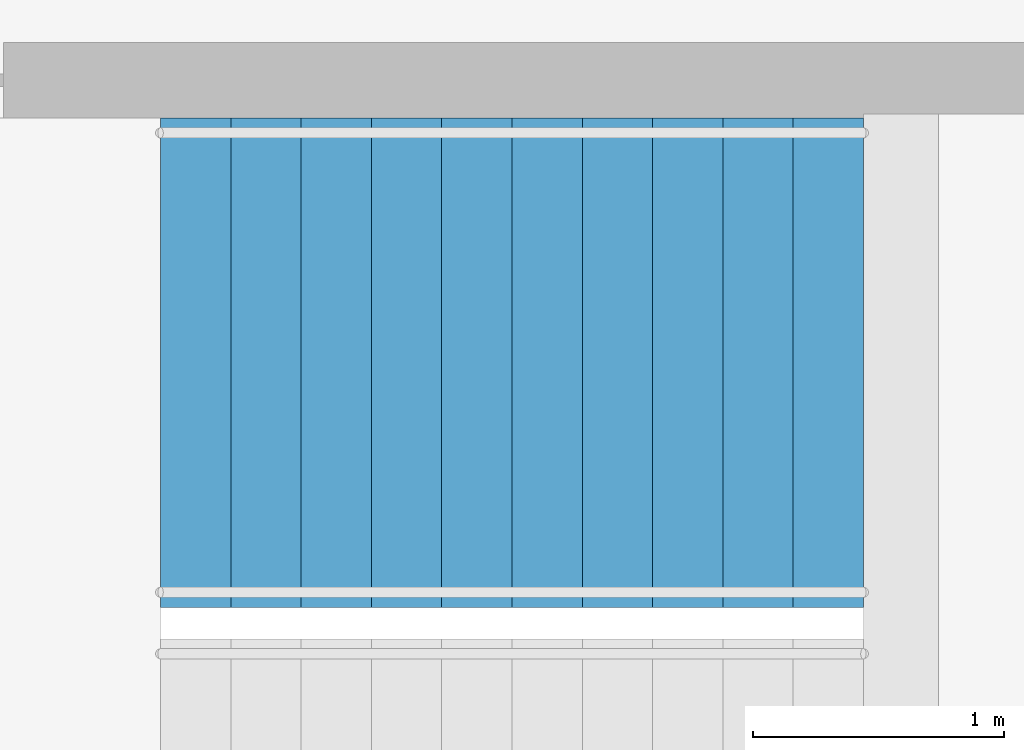
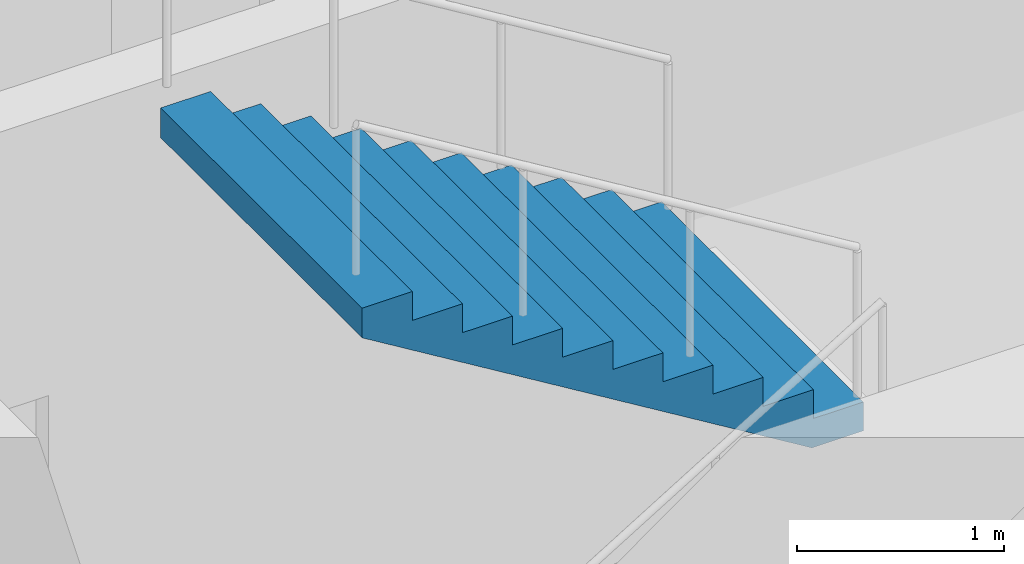
# One storey, part 24 of 29: 1 stair flight, 1 element without a shape of its own.
"""IFC4 building model written with IfcOpenShell, lengths in metres."""

from ifc_helpers import new_model, si_unit, direction, frame, origin, place, context, subcontext, project, spatial, triangles, material, type_object, element, aggregate, save


model = new_model("IFC4")

# Units and contexts
model_context = context("Model", 3, precision=1e-05, world=origin(), true_north=direction((0.0, 1.0)))
body_context = subcontext(model_context, "Body", "Model", "MODEL_VIEW")
ifc_project = project(units=[si_unit("LENGTHUNIT", "METRE"), si_unit("AREAUNIT", "SQUARE_METRE"), si_unit("VOLUMEUNIT", "CUBIC_METRE"), si_unit("PLANEANGLEUNIT", "RADIAN"), si_unit("MASSUNIT", "GRAM", prefix="KILO")], contexts=[model_context])

# Site, building, storey
site_placement = place(None, origin())
site = spatial("IfcSite", under=ifc_project, at=site_placement, CompositionType="ELEMENT")
building_placement = place(site_placement, origin())
building = spatial("IfcBuilding", under=site, at=building_placement, Name="Orbita Commons", CompositionType="ELEMENT")
storey_placement = place(building_placement, frame((0.0, 0.0, 148.60009765625)))
storey = spatial("IfcBuildingStorey", under=building, at=storey_placement, Name="L36", CompositionType="ELEMENT", Elevation=148.60009765625)

# Stair, stair flight
ifc_material_1 = material(Name="Precast concrete C40/50", Category="concrete")
stair_type = type_object("IfcStairType", Name="Exit stair S1 2 flights 11 risers 170", PredefinedType="HALF_TURN_STAIR", material=ifc_material_1)
stair_placement = place(storey_placement, origin())
stair = element("IfcStair", 1, at=stair_placement, inside=storey, type_object=stair_type, Name="Exit stair S1 L36", PredefinedType="HALF_TURN_STAIR")
ifc_material_2 = material(Name="Precast concrete C40/50", Category="concrete")
stair_flight_type = type_object("IfcStairFlightType", Name="Stair flight 11 risers 170 x 280", PredefinedType="STRAIGHT", material=ifc_material_2)
stair_flight_placement = place(storey_placement, frame((23.25, 29.27490234375, 1.875), z_axis=(0.0, 0.0, 1.0), x_axis=(-1.0, 0.0, 0.0)))
stair_flight = element("IfcStairFlight", 2, at=stair_flight_placement, type_object=stair_flight_type, Name="S1 flight 2", NumberOfRisers=11, NumberOfTreads=10, PredefinedType="STRAIGHT", RiserHeight=0.170454545, TreadLength=0.28, context=body_context, shape_type="Tessellation", body=[
    triangles([(0.0, 0.974976, 0.0), (0.0, 0.974976, 0.021307), (0.0, 0.81248, 0.021307), (0.0, 0.81248, 0.0), (0.0, 0.649984, 0.021307), (0.0, 0.649984, 0.0), (0.0, 0.487488, 0.021307), (0.0, 0.487488, 0.0), (0.0, 0.324992, 0.021307), (0.0, 0.324992, 0.0), (0.0, 0.162496, 0.021307), (0.0, 0.162496, 0.0), (0.0, 0.0, 0.021307), (0.0, 0.0, 0.0), (0.0, -0.162496, 0.021307), (0.0, -0.162496, 0.0), (0.0, -0.324992, 0.021307), (0.0, -0.324992, 0.0), (0.0, -0.487488, 0.021307), (0.0, -0.487488, 0.0), (0.0, -0.649984, 0.021307), (0.0, -0.649984, 0.0), (0.0, -0.81248, 0.021307), (0.0, -0.81248, 0.0), (0.0, -0.974976, 0.021307), (0.0, -0.974976, 0.0), (0.0, 0.974976, 0.042614), (0.0, 0.81248, 0.042614), (0.0, 0.649984, 0.042614), (0.0, 0.487488, 0.042614), (0.0, 0.324992, 0.042614), (0.0, 0.162496, 0.042614), (0.0, 0.0, 0.042614), (0.0, -0.162496, 0.042614), (0.0, -0.324992, 0.042614), (0.0, -0.487488, 0.042614), (0.0, -0.649984, 0.042614), (0.0, -0.81248, 0.042614), (0.0, -0.974976, 0.042614), (0.0, 0.974976, 0.06392), (0.0, 0.81248, 0.06392), (0.0, 0.649984, 0.06392), (0.0, 0.487488, 0.06392), (0.0, 0.324992, 0.06392), (0.0, 0.162496, 0.06392), (0.0, 0.0, 0.06392), (0.0, -0.162496, 0.06392), (0.0, -0.324992, 0.06392), (0.0, -0.487488, 0.06392), (0.0, -0.649984, 0.06392), (0.0, -0.81248, 0.06392), (0.0, -0.974976, 0.06392), (0.0, 0.974976, 0.085227), (0.0, 0.81248, 0.085227), (0.0, 0.649984, 0.085227), (0.0, 0.487488, 0.085227), (0.0, 0.324992, 0.085227), (0.0, 0.162496, 0.085227), (0.0, 0.0, 0.085227), (0.0, -0.162496, 0.085227), (0.0, -0.324992, 0.085227), (0.0, -0.487488, 0.085227), (0.0, -0.649984, 0.085227), (0.0, -0.81248, 0.085227), (0.0, -0.974976, 0.085227), (0.0, 0.974976, 0.106534), (0.0, 0.81248, 0.106534), (0.0, 0.649984, 0.106534), (0.0, 0.487488, 0.106534), (0.0, 0.324992, 0.106534), (0.0, 0.162496, 0.106534), (0.0, 0.0, 0.106534), (0.0, -0.162496, 0.106534), (0.0, -0.324992, 0.106534), (0.0, -0.487488, 0.106534), (0.0, -0.649984, 0.106534), (0.0, -0.81248, 0.106534), (0.0, -0.974976, 0.106534), (0.0, 0.974976, 0.127841), (0.0, 0.81248, 0.127841), (0.0, 0.649984, 0.127841), (0.0, 0.487488, 0.127841), (0.0, 0.324992, 0.127841), (0.0, 0.162496, 0.127841), (0.0, 0.0, 0.127841), (0.0, -0.162496, 0.127841), (0.0, -0.324992, 0.127841), (0.0, -0.487488, 0.127841), (0.0, -0.649984, 0.127841), (0.0, -0.81248, 0.127841), (0.0, -0.974976, 0.127841), (0.0, 0.974976, 0.149148), (0.0, 0.81248, 0.149148), (0.0, 0.649984, 0.149148), (0.0, 0.487488, 0.149148), (0.0, 0.324992, 0.149148), (0.0, 0.162496, 0.149148), (0.0, 0.0, 0.149148), (0.0, -0.162496, 0.149148), (0.0, -0.324992, 0.149148), (0.0, -0.487488, 0.149148), (0.0, -0.649984, 0.149148), (0.0, -0.81248, 0.149148), (0.0, -0.974976, 0.149148), (0.0, 0.974976, 0.170455), (0.0, 0.81248, 0.170455), (0.0, 0.649984, 0.170455), (0.0, 0.487488, 0.170455), (0.0, 0.324992, 0.170455), (0.0, 0.162496, 0.170455), (0.0, 0.0, 0.170455), (0.0, -0.162496, 0.170455), (0.0, -0.324992, 0.170455), (0.0, -0.487488, 0.170455), (0.0, -0.649984, 0.170455), (0.0, -0.81248, 0.170455), (0.0, -0.974976, 0.170455), (0.28, 0.974976, 0.170455), (0.28, 0.81248, 0.170455), (0.28, 0.649984, 0.170455), (0.28, 0.487488, 0.170455), (0.28, 0.324992, 0.170455), (0.28, 0.162496, 0.170455), (0.28, 0.0, 0.170455), (0.28, -0.162496, 0.170455), (0.28, -0.324992, 0.170455), (0.28, -0.487488, 0.170455), (0.28, -0.649984, 0.170455), (0.28, -0.81248, 0.170455), (0.28, -0.974976, 0.170455), (0.28, 0.974976, 0.340909), (0.28, 0.81248, 0.340909), (0.28, 0.649984, 0.340909), (0.28, 0.487488, 0.340909), (0.28, 0.324992, 0.340909), (0.28, 0.162496, 0.340909), (0.28, 0.0, 0.340909), (0.28, -0.162496, 0.340909), (0.28, -0.324992, 0.340909), (0.28, -0.487488, 0.340909), (0.28, -0.649984, 0.340909), (0.28, -0.81248, 0.340909), (0.28, -0.974976, 0.340909), (0.56, 0.974976, 0.340909), (0.56, 0.81248, 0.340909), (0.56, 0.649984, 0.340909), (0.56, 0.487488, 0.340909), (0.56, 0.324992, 0.340909), (0.56, 0.162496, 0.340909), (0.56, 0.0, 0.340909), (0.56, -0.162496, 0.340909), (0.56, -0.324992, 0.340909), (0.56, -0.487488, 0.340909), (0.56, -0.649984, 0.340909), (0.56, -0.81248, 0.340909), (0.56, -0.974976, 0.340909), (0.56, 0.974976, 0.511364), (0.56, 0.81248, 0.511364), (0.56, 0.649984, 0.511364), (0.56, 0.487488, 0.511364), (0.56, 0.324992, 0.511364), (0.56, 0.162496, 0.511364), (0.56, 0.0, 0.511364), (0.56, -0.162496, 0.511364), (0.56, -0.324992, 0.511364), (0.56, -0.487488, 0.511364), (0.56, -0.649984, 0.511364), (0.56, -0.81248, 0.511364), (0.56, -0.974976, 0.511364), (0.84, 0.974976, 0.511364), (0.84, 0.81248, 0.511364), (0.84, 0.649984, 0.511364), (0.84, 0.487488, 0.511364), (0.84, 0.324992, 0.511364), (0.84, 0.162496, 0.511364), (0.84, 0.0, 0.511364), (0.84, -0.162496, 0.511364), (0.84, -0.324992, 0.511364), (0.84, -0.487488, 0.511364), (0.84, -0.649984, 0.511364), (0.84, -0.81248, 0.511364), (0.84, -0.974976, 0.511364), (0.84, 0.974976, 0.681818), (0.84, 0.81248, 0.681818), (0.84, 0.649984, 0.681818), (0.84, 0.487488, 0.681818), (0.84, 0.324992, 0.681818), (0.84, 0.162496, 0.681818), (0.84, 0.0, 0.681818), (0.84, -0.162496, 0.681818), (0.84, -0.324992, 0.681818), (0.84, -0.487488, 0.681818), (0.84, -0.649984, 0.681818), (0.84, -0.81248, 0.681818), (0.84, -0.974976, 0.681818), (1.12, 0.974976, 0.681818), (1.12, 0.81248, 0.681818), (1.12, 0.649984, 0.681818), (1.12, 0.487488, 0.681818), (1.12, 0.324992, 0.681818), (1.12, 0.162496, 0.681818), (1.12, 0.0, 0.681818), (1.12, -0.162496, 0.681818), (1.12, -0.324992, 0.681818), (1.12, -0.487488, 0.681818), (1.12, -0.649984, 0.681818), (1.12, -0.81248, 0.681818), (1.12, -0.974976, 0.681818), (1.12, 0.974976, 0.852273), (1.12, 0.81248, 0.852273), (1.12, 0.649984, 0.852273), (1.12, 0.487488, 0.852273), (1.12, 0.324992, 0.852273), (1.12, 0.162496, 0.852273), (1.12, 0.0, 0.852273), (1.12, -0.162496, 0.852273), (1.12, -0.324992, 0.852273), (1.12, -0.487488, 0.852273), (1.12, -0.649984, 0.852273), (1.12, -0.81248, 0.852273), (1.12, -0.974976, 0.852273), (1.4, 0.974976, 0.852273), (1.4, 0.81248, 0.852273), (1.4, 0.649984, 0.852273), (1.4, 0.487488, 0.852273), (1.4, 0.324992, 0.852273), (1.4, 0.162496, 0.852273), (1.4, 0.0, 0.852273), (1.4, -0.162496, 0.852273), (1.4, -0.324992, 0.852273), (1.4, -0.487488, 0.852273), (1.4, -0.649984, 0.852273), (1.4, -0.81248, 0.852273), (1.4, -0.974976, 0.852273), (1.4, 0.974976, 1.022727), (1.4, 0.81248, 1.022727), (1.4, 0.649984, 1.022727), (1.4, 0.487488, 1.022727), (1.4, 0.324992, 1.022727), (1.4, 0.162496, 1.022727), (1.4, 0.0, 1.022727), (1.4, -0.162496, 1.022727), (1.4, -0.324992, 1.022727), (1.4, -0.487488, 1.022727), (1.4, -0.649984, 1.022727), (1.4, -0.81248, 1.022727), (1.4, -0.974976, 1.022727), (1.68, 0.974976, 1.022727), (1.68, 0.81248, 1.022727), (1.68, 0.649984, 1.022727), (1.68, 0.487488, 1.022727), (1.68, 0.324992, 1.022727), (1.68, 0.162496, 1.022727), (1.68, 0.0, 1.022727), (1.68, -0.162496, 1.022727), (1.68, -0.324992, 1.022727), (1.68, -0.487488, 1.022727), (1.68, -0.649984, 1.022727), (1.68, -0.81248, 1.022727), (1.68, -0.974976, 1.022727), (1.68, 0.974976, 1.193182), (1.68, 0.81248, 1.193182), (1.68, 0.649984, 1.193182), (1.68, 0.487488, 1.193182), (1.68, 0.324992, 1.193182), (1.68, 0.162496, 1.193182), (1.68, 0.0, 1.193182), (1.68, -0.162496, 1.193182), (1.68, -0.324992, 1.193182), (1.68, -0.487488, 1.193182), (1.68, -0.649984, 1.193182), (1.68, -0.81248, 1.193182), (1.68, -0.974976, 1.193182), (1.96, 0.974976, 1.193182), (1.96, 0.81248, 1.193182), (1.96, 0.649984, 1.193182), (1.96, 0.487488, 1.193182), (1.96, 0.324992, 1.193182), (1.96, 0.162496, 1.193182), (1.96, 0.0, 1.193182), (1.96, -0.162496, 1.193182), (1.96, -0.324992, 1.193182), (1.96, -0.487488, 1.193182), (1.96, -0.649984, 1.193182), (1.96, -0.81248, 1.193182), (1.96, -0.974976, 1.193182), (1.96, 0.974976, 1.363636), (1.96, 0.81248, 1.363636), (1.96, 0.649984, 1.363636), (1.96, 0.487488, 1.363636), (1.96, 0.324992, 1.363636), (1.96, 0.162496, 1.363636), (1.96, 0.0, 1.363636), (1.96, -0.162496, 1.363636), (1.96, -0.324992, 1.363636), (1.96, -0.487488, 1.363636), (1.96, -0.649984, 1.363636), (1.96, -0.81248, 1.363636), (1.96, -0.974976, 1.363636), (2.24, 0.974976, 1.363636), (2.24, 0.81248, 1.363636), (2.24, 0.649984, 1.363636), (2.24, 0.487488, 1.363636), (2.24, 0.324992, 1.363636), (2.24, 0.162496, 1.363636), (2.24, 0.0, 1.363636), (2.24, -0.162496, 1.363636), (2.24, -0.324992, 1.363636), (2.24, -0.487488, 1.363636), (2.24, -0.649984, 1.363636), (2.24, -0.81248, 1.363636), (2.24, -0.974976, 1.363636), (2.24, 0.974976, 1.534091), (2.24, 0.81248, 1.534091), (2.24, 0.649984, 1.534091), (2.24, 0.487488, 1.534091), (2.24, 0.324992, 1.534091), (2.24, 0.162496, 1.534091), (2.24, 0.0, 1.534091), (2.24, -0.162496, 1.534091), (2.24, -0.324992, 1.534091), (2.24, -0.487488, 1.534091), (2.24, -0.649984, 1.534091), (2.24, -0.81248, 1.534091), (2.24, -0.974976, 1.534091), (2.52, 0.974976, 1.534091), (2.52, 0.81248, 1.534091), (2.52, 0.649984, 1.534091), (2.52, 0.487488, 1.534091), (2.52, 0.324992, 1.534091), (2.52, 0.162496, 1.534091), (2.52, 0.0, 1.534091), (2.52, -0.162496, 1.534091), (2.52, -0.324992, 1.534091), (2.52, -0.487488, 1.534091), (2.52, -0.649984, 1.534091), (2.52, -0.81248, 1.534091), (2.52, -0.974976, 1.534091), (2.52, 0.974976, 1.704545), (2.52, 0.81248, 1.704545), (2.52, 0.649984, 1.704545), (2.52, 0.487488, 1.704545), (2.52, 0.324992, 1.704545), (2.52, 0.162496, 1.704545), (2.52, 0.0, 1.704545), (2.52, -0.162496, 1.704545), (2.52, -0.324992, 1.704545), (2.52, -0.487488, 1.704545), (2.52, -0.649984, 1.704545), (2.52, -0.81248, 1.704545), (2.52, -0.974976, 1.704545), (2.8, 0.974976, 1.704545), (2.8, 0.81248, 1.704545), (2.8, 0.649984, 1.704545), (2.8, 0.487488, 1.704545), (2.8, 0.324992, 1.704545), (2.8, 0.162496, 1.704545), (2.8, 0.0, 1.704545), (2.8, -0.162496, 1.704545), (2.8, -0.324992, 1.704545), (2.8, -0.487488, 1.704545), (2.8, -0.649984, 1.704545), (2.8, -0.81248, 1.704545), (2.8, -0.974976, 1.704545), (2.8, 0.974976, 1.682609), (2.8, 0.81248, 1.682609), (2.8, 0.649984, 1.682609), (2.8, 0.487488, 1.682609), (2.8, 0.324992, 1.682609), (2.8, 0.162496, 1.682609), (2.8, 0.0, 1.682609), (2.8, -0.162496, 1.682609), (2.8, -0.324992, 1.682609), (2.8, -0.487488, 1.682609), (2.8, -0.649984, 1.682609), (2.8, -0.81248, 1.682609), (2.8, -0.974976, 1.682609), (2.8, 0.974976, 1.660672), (2.8, 0.81248, 1.660672), (2.8, 0.649984, 1.660672), (2.8, 0.487488, 1.660672), (2.8, 0.324992, 1.660672), (2.8, 0.162496, 1.660672), (2.8, 0.0, 1.660672), (2.8, -0.162496, 1.660672), (2.8, -0.324992, 1.660672), (2.8, -0.487488, 1.660672), (2.8, -0.649984, 1.660672), (2.8, -0.81248, 1.660672), (2.8, -0.974976, 1.660672), (2.8, 0.974976, 1.638735), (2.8, 0.81248, 1.638735), (2.8, 0.649984, 1.638735), (2.8, 0.487488, 1.638735), (2.8, 0.324992, 1.638735), (2.8, 0.162496, 1.638735), (2.8, 0.0, 1.638735), (2.8, -0.162496, 1.638735), (2.8, -0.324992, 1.638735), (2.8, -0.487488, 1.638735), (2.8, -0.649984, 1.638735), (2.8, -0.81248, 1.638735), (2.8, -0.974976, 1.638735), (2.8, 0.974976, 1.616798), (2.8, 0.81248, 1.616798), (2.8, 0.649984, 1.616798), (2.8, 0.487488, 1.616798), (2.8, 0.324992, 1.616798), (2.8, 0.162496, 1.616798), (2.8, 0.0, 1.616798), (2.8, -0.162496, 1.616798), (2.8, -0.324992, 1.616798), (2.8, -0.487488, 1.616798), (2.8, -0.649984, 1.616798), (2.8, -0.81248, 1.616798), (2.8, -0.974976, 1.616798), (2.8, 0.974976, 1.594861), (2.8, 0.81248, 1.594861), (2.8, 0.649984, 1.594861), (2.8, 0.487488, 1.594861), (2.8, 0.324992, 1.594861), (2.8, 0.162496, 1.594861), (2.8, 0.0, 1.594861), (2.8, -0.162496, 1.594861), (2.8, -0.324992, 1.594861), (2.8, -0.487488, 1.594861), (2.8, -0.649984, 1.594861), (2.8, -0.81248, 1.594861), (2.8, -0.974976, 1.594861), (2.8, 0.974976, 1.572925), (2.8, 0.81248, 1.572925), (2.8, 0.649984, 1.572925), (2.8, 0.487488, 1.572925), (2.8, 0.324992, 1.572925), (2.8, 0.162496, 1.572925), (2.8, 0.0, 1.572925), (2.8, -0.162496, 1.572925), (2.8, -0.324992, 1.572925), (2.8, -0.487488, 1.572925), (2.8, -0.649984, 1.572925), (2.8, -0.81248, 1.572925), (2.8, -0.974976, 1.572925), (2.8, 0.974976, 1.550988), (2.8, 0.81248, 1.550988), (2.8, 0.649984, 1.550988), (2.8, 0.487488, 1.550988), (2.8, 0.324992, 1.550988), (2.8, 0.162496, 1.550988), (2.8, 0.0, 1.550988), (2.8, -0.162496, 1.550988), (2.8, -0.324992, 1.550988), (2.8, -0.487488, 1.550988), (2.8, -0.649984, 1.550988), (2.8, -0.81248, 1.550988), (2.8, -0.974976, 1.550988), (2.8, 0.974976, 1.529051), (2.8, 0.81248, 1.529051), (2.8, 0.649984, 1.529051), (2.8, 0.487488, 1.529051), (2.8, 0.324992, 1.529051), (2.8, 0.162496, 1.529051), (2.8, 0.0, 1.529051), (2.8, -0.162496, 1.529051), (2.8, -0.324992, 1.529051), (2.8, -0.487488, 1.529051), (2.8, -0.649984, 1.529051), (2.8, -0.81248, 1.529051), (2.8, -0.974976, 1.529051), (0.288279, 0.974976, 0.0), (0.288279, 0.81248, 0.0), (0.288279, 0.649984, 0.0), (0.288279, 0.487488, 0.0), (0.288279, 0.324992, 0.0), (0.288279, 0.162496, 0.0), (0.288279, 0.0, 0.0), (0.288279, -0.162496, 0.0), (0.288279, -0.324992, 0.0), (0.288279, -0.487488, 0.0), (0.288279, -0.649984, 0.0), (0.288279, -0.81248, 0.0), (0.288279, -0.974976, 0.0)], [[3, 2, 1], [4, 3, 1], [5, 3, 4], [6, 5, 4], [7, 5, 6], [8, 7, 6], [9, 7, 8], [10, 9, 8], [11, 9, 10], [12, 11, 10], [13, 11, 12], [14, 13, 12], [15, 13, 14], [16, 15, 14], [17, 15, 16], [18, 17, 16], [19, 17, 18], [20, 19, 18], [21, 19, 20], [22, 21, 20], [23, 21, 22], [24, 23, 22], [25, 23, 24], [26, 25, 24], [28, 27, 2], [3, 28, 2], [29, 28, 3], [5, 29, 3], [30, 29, 5], [7, 30, 5], [31, 30, 7], [9, 31, 7], [32, 31, 9], [11, 32, 9], [33, 32, 11], [13, 33, 11], [34, 33, 13], [15, 34, 13], [35, 34, 15], [17, 35, 15], [36, 35, 17], [19, 36, 17], [37, 36, 19], [21, 37, 19], [38, 37, 21], [23, 38, 21], [39, 38, 23], [25, 39, 23], [41, 40, 27], [28, 41, 27], [42, 41, 28], [29, 42, 28], [43, 42, 29], [30, 43, 29], [44, 43, 30], [31, 44, 30], [45, 44, 31], [32, 45, 31], [46, 45, 32], [33, 46, 32], [47, 46, 33], [34, 47, 33], [48, 47, 34], [35, 48, 34], [49, 48, 35], [36, 49, 35], [50, 49, 36], [37, 50, 36], [51, 50, 37], [38, 51, 37], [52, 51, 38], [39, 52, 38], [54, 53, 40], [41, 54, 40], [55, 54, 41], [42, 55, 41], [56, 55, 42], [43, 56, 42], [57, 56, 43], [44, 57, 43], [58, 57, 44], [45, 58, 44], [59, 58, 45], [46, 59, 45], [60, 59, 46], [47, 60, 46], [61, 60, 47], [48, 61, 47], [62, 61, 48], [49, 62, 48], [63, 62, 49], [50, 63, 49], [64, 63, 50], [51, 64, 50], [65, 64, 51], [52, 65, 51], [67, 66, 53], [54, 67, 53], [68, 67, 54], [55, 68, 54], [69, 68, 55], [56, 69, 55], [70, 69, 56], [57, 70, 56], [71, 70, 57], [58, 71, 57], [72, 71, 58], [59, 72, 58], [73, 72, 59], [60, 73, 59], [74, 73, 60], [61, 74, 60], [75, 74, 61], [62, 75, 61], [76, 75, 62], [63, 76, 62], [77, 76, 63], [64, 77, 63], [78, 77, 64], [65, 78, 64], [80, 79, 66], [67, 80, 66], [81, 80, 67], [68, 81, 67], [82, 81, 68], [69, 82, 68], [83, 82, 69], [70, 83, 69], [84, 83, 70], [71, 84, 70], [85, 84, 71], [72, 85, 71], [86, 85, 72], [73, 86, 72], [87, 86, 73], [74, 87, 73], [88, 87, 74], [75, 88, 74], [89, 88, 75], [76, 89, 75], [90, 89, 76], [77, 90, 76], [91, 90, 77], [78, 91, 77], [93, 92, 79], [80, 93, 79], [94, 93, 80], [81, 94, 80], [95, 94, 81], [82, 95, 81], [96, 95, 82], [83, 96, 82], [97, 96, 83], [84, 97, 83], [98, 97, 84], [85, 98, 84], [99, 98, 85], [86, 99, 85], [100, 99, 86], [87, 100, 86], [101, 100, 87], [88, 101, 87], [102, 101, 88], [89, 102, 88], [103, 102, 89], [90, 103, 89], [104, 103, 90], [91, 104, 90], [106, 105, 92], [93, 106, 92], [107, 106, 93], [94, 107, 93], [108, 107, 94], [95, 108, 94], [109, 108, 95], [96, 109, 95], [110, 109, 96], [97, 110, 96], [111, 110, 97], [98, 111, 97], [112, 111, 98], [99, 112, 98], [113, 112, 99], [100, 113, 99], [114, 113, 100], [101, 114, 100], [115, 114, 101], [102, 115, 101], [116, 115, 102], [103, 116, 102], [117, 116, 103], [104, 117, 103], [119, 118, 105], [106, 119, 105], [120, 119, 106], [107, 120, 106], [121, 120, 107], [108, 121, 107], [122, 121, 108], [109, 122, 108], [123, 122, 109], [110, 123, 109], [124, 123, 110], [111, 124, 110], [125, 124, 111], [112, 125, 111], [126, 125, 112], [113, 126, 112], [127, 126, 113], [114, 127, 113], [128, 127, 114], [115, 128, 114], [129, 128, 115], [116, 129, 115], [130, 129, 116], [117, 130, 116], [132, 131, 118], [119, 132, 118], [133, 132, 119], [120, 133, 119], [134, 133, 120], [121, 134, 120], [135, 134, 121], [122, 135, 121], [136, 135, 122], [123, 136, 122], [137, 136, 123], [124, 137, 123], [138, 137, 124], [125, 138, 124], [139, 138, 125], [126, 139, 125], [140, 139, 126], [127, 140, 126], [141, 140, 127], [128, 141, 127], [142, 141, 128], [129, 142, 128], [143, 142, 129], [130, 143, 129], [145, 144, 131], [132, 145, 131], [146, 145, 132], [133, 146, 132], [147, 146, 133], [134, 147, 133], [148, 147, 134], [135, 148, 134], [149, 148, 135], [136, 149, 135], [150, 149, 136], [137, 150, 136], [151, 150, 137], [138, 151, 137], [152, 151, 138], [139, 152, 138], [153, 152, 139], [140, 153, 139], [154, 153, 140], [141, 154, 140], [155, 154, 141], [142, 155, 141], [156, 155, 142], [143, 156, 142], [158, 157, 144], [145, 158, 144], [159, 158, 145], [146, 159, 145], [160, 159, 146], [147, 160, 146], [161, 160, 147], [148, 161, 147], [162, 161, 148], [149, 162, 148], [163, 162, 149], [150, 163, 149], [164, 163, 150], [151, 164, 150], [165, 164, 151], [152, 165, 151], [166, 165, 152], [153, 166, 152], [167, 166, 153], [154, 167, 153], [168, 167, 154], [155, 168, 154], [169, 168, 155], [156, 169, 155], [171, 170, 157], [158, 171, 157], [172, 171, 158], [159, 172, 158], [173, 172, 159], [160, 173, 159], [174, 173, 160], [161, 174, 160], [175, 174, 161], [162, 175, 161], [176, 175, 162], [163, 176, 162], [177, 176, 163], [164, 177, 163], [178, 177, 164], [165, 178, 164], [179, 178, 165], [166, 179, 165], [180, 179, 166], [167, 180, 166], [181, 180, 167], [168, 181, 167], [182, 181, 168], [169, 182, 168], [184, 183, 170], [171, 184, 170], [185, 184, 171], [172, 185, 171], [186, 185, 172], [173, 186, 172], [187, 186, 173], [174, 187, 173], [188, 187, 174], [175, 188, 174], [189, 188, 175], [176, 189, 175], [190, 189, 176], [177, 190, 176], [191, 190, 177], [178, 191, 177], [192, 191, 178], [179, 192, 178], [193, 192, 179], [180, 193, 179], [194, 193, 180], [181, 194, 180], [195, 194, 181], [182, 195, 181], [197, 196, 183], [184, 197, 183], [198, 197, 184], [185, 198, 184], [199, 198, 185], [186, 199, 185], [200, 199, 186], [187, 200, 186], [201, 200, 187], [188, 201, 187], [202, 201, 188], [189, 202, 188], [203, 202, 189], [190, 203, 189], [204, 203, 190], [191, 204, 190], [205, 204, 191], [192, 205, 191], [206, 205, 192], [193, 206, 192], [207, 206, 193], [194, 207, 193], [208, 207, 194], [195, 208, 194], [210, 209, 196], [197, 210, 196], [211, 210, 197], [198, 211, 197], [212, 211, 198], [199, 212, 198], [213, 212, 199], [200, 213, 199], [214, 213, 200], [201, 214, 200], [215, 214, 201], [202, 215, 201], [216, 215, 202], [203, 216, 202], [217, 216, 203], [204, 217, 203], [218, 217, 204], [205, 218, 204], [219, 218, 205], [206, 219, 205], [220, 219, 206], [207, 220, 206], [221, 220, 207], [208, 221, 207], [223, 222, 209], [210, 223, 209], [224, 223, 210], [211, 224, 210], [225, 224, 211], [212, 225, 211], [226, 225, 212], [213, 226, 212], [227, 226, 213], [214, 227, 213], [228, 227, 214], [215, 228, 214], [229, 228, 215], [216, 229, 215], [230, 229, 216], [217, 230, 216], [231, 230, 217], [218, 231, 217], [232, 231, 218], [219, 232, 218], [233, 232, 219], [220, 233, 219], [234, 233, 220], [221, 234, 220], [236, 235, 222], [223, 236, 222], [237, 236, 223], [224, 237, 223], [238, 237, 224], [225, 238, 224], [239, 238, 225], [226, 239, 225], [240, 239, 226], [227, 240, 226], [241, 240, 227], [228, 241, 227], [242, 241, 228], [229, 242, 228], [243, 242, 229], [230, 243, 229], [244, 243, 230], [231, 244, 230], [245, 244, 231], [232, 245, 231], [246, 245, 232], [233, 246, 232], [247, 246, 233], [234, 247, 233], [249, 248, 235], [236, 249, 235], [250, 249, 236], [237, 250, 236], [251, 250, 237], [238, 251, 237], [252, 251, 238], [239, 252, 238], [253, 252, 239], [240, 253, 239], [254, 253, 240], [241, 254, 240], [255, 254, 241], [242, 255, 241], [256, 255, 242], [243, 256, 242], [257, 256, 243], [244, 257, 243], [258, 257, 244], [245, 258, 244], [259, 258, 245], [246, 259, 245], [260, 259, 246], [247, 260, 246], [262, 261, 248], [249, 262, 248], [263, 262, 249], [250, 263, 249], [264, 263, 250], [251, 264, 250], [265, 264, 251], [252, 265, 251], [266, 265, 252], [253, 266, 252], [267, 266, 253], [254, 267, 253], [268, 267, 254], [255, 268, 254], [269, 268, 255], [256, 269, 255], [270, 269, 256], [257, 270, 256], [271, 270, 257], [258, 271, 257], [272, 271, 258], [259, 272, 258], [273, 272, 259], [260, 273, 259], [275, 274, 261], [262, 275, 261], [276, 275, 262], [263, 276, 262], [277, 276, 263], [264, 277, 263], [278, 277, 264], [265, 278, 264], [279, 278, 265], [266, 279, 265], [280, 279, 266], [267, 280, 266], [281, 280, 267], [268, 281, 267], [282, 281, 268], [269, 282, 268], [283, 282, 269], [270, 283, 269], [284, 283, 270], [271, 284, 270], [285, 284, 271], [272, 285, 271], [286, 285, 272], [273, 286, 272], [288, 287, 274], [275, 288, 274], [289, 288, 275], [276, 289, 275], [290, 289, 276], [277, 290, 276], [291, 290, 277], [278, 291, 277], [292, 291, 278], [279, 292, 278], [293, 292, 279], [280, 293, 279], [294, 293, 280], [281, 294, 280], [295, 294, 281], [282, 295, 281], [296, 295, 282], [283, 296, 282], [297, 296, 283], [284, 297, 283], [298, 297, 284], [285, 298, 284], [299, 298, 285], [286, 299, 285], [301, 300, 287], [288, 301, 287], [302, 301, 288], [289, 302, 288], [303, 302, 289], [290, 303, 289], [304, 303, 290], [291, 304, 290], [305, 304, 291], [292, 305, 291], [306, 305, 292], [293, 306, 292], [307, 306, 293], [294, 307, 293], [308, 307, 294], [295, 308, 294], [309, 308, 295], [296, 309, 295], [310, 309, 296], [297, 310, 296], [311, 310, 297], [298, 311, 297], [312, 311, 298], [299, 312, 298], [314, 313, 300], [301, 314, 300], [315, 314, 301], [302, 315, 301], [316, 315, 302], [303, 316, 302], [317, 316, 303], [304, 317, 303], [318, 317, 304], [305, 318, 304], [319, 318, 305], [306, 319, 305], [320, 319, 306], [307, 320, 306], [321, 320, 307], [308, 321, 307], [322, 321, 308], [309, 322, 308], [323, 322, 309], [310, 323, 309], [324, 323, 310], [311, 324, 310], [325, 324, 311], [312, 325, 311], [327, 326, 313], [314, 327, 313], [328, 327, 314], [315, 328, 314], [329, 328, 315], [316, 329, 315], [330, 329, 316], [317, 330, 316], [331, 330, 317], [318, 331, 317], [332, 331, 318], [319, 332, 318], [333, 332, 319], [320, 333, 319], [334, 333, 320], [321, 334, 320], [335, 334, 321], [322, 335, 321], [336, 335, 322], [323, 336, 322], [337, 336, 323], [324, 337, 323], [338, 337, 324], [325, 338, 324], [340, 339, 326], [327, 340, 326], [341, 340, 327], [328, 341, 327], [342, 341, 328], [329, 342, 328], [343, 342, 329], [330, 343, 329], [344, 343, 330], [331, 344, 330], [345, 344, 331], [332, 345, 331], [346, 345, 332], [333, 346, 332], [347, 346, 333], [334, 347, 333], [348, 347, 334], [335, 348, 334], [349, 348, 335], [336, 349, 335], [350, 349, 336], [337, 350, 336], [351, 350, 337], [338, 351, 337], [353, 352, 339], [340, 353, 339], [354, 353, 340], [341, 354, 340], [355, 354, 341], [342, 355, 341], [356, 355, 342], [343, 356, 342], [357, 356, 343], [344, 357, 343], [358, 357, 344], [345, 358, 344], [359, 358, 345], [346, 359, 345], [360, 359, 346], [347, 360, 346], [361, 360, 347], [348, 361, 347], [362, 361, 348], [349, 362, 348], [363, 362, 349], [350, 363, 349], [364, 363, 350], [351, 364, 350], [366, 365, 352], [353, 366, 352], [367, 366, 353], [354, 367, 353], [368, 367, 354], [355, 368, 354], [369, 368, 355], [356, 369, 355], [370, 369, 356], [357, 370, 356], [371, 370, 357], [358, 371, 357], [372, 371, 358], [359, 372, 358], [373, 372, 359], [360, 373, 359], [374, 373, 360], [361, 374, 360], [375, 374, 361], [362, 375, 361], [376, 375, 362], [363, 376, 362], [377, 376, 363], [364, 377, 363], [379, 378, 365], [366, 379, 365], [380, 379, 366], [367, 380, 366], [381, 380, 367], [368, 381, 367], [382, 381, 368], [369, 382, 368], [383, 382, 369], [370, 383, 369], [384, 383, 370], [371, 384, 370], [385, 384, 371], [372, 385, 371], [386, 385, 372], [373, 386, 372], [387, 386, 373], [374, 387, 373], [388, 387, 374], [375, 388, 374], [389, 388, 375], [376, 389, 375], [390, 389, 376], [377, 390, 376], [392, 391, 378], [379, 392, 378], [393, 392, 379], [380, 393, 379], [394, 393, 380], [381, 394, 380], [395, 394, 381], [382, 395, 381], [396, 395, 382], [383, 396, 382], [397, 396, 383], [384, 397, 383], [398, 397, 384], [385, 398, 384], [399, 398, 385], [386, 399, 385], [400, 399, 386], [387, 400, 386], [401, 400, 387], [388, 401, 387], [402, 401, 388], [389, 402, 388], [403, 402, 389], [390, 403, 389], [405, 404, 391], [392, 405, 391], [406, 405, 392], [393, 406, 392], [407, 406, 393], [394, 407, 393], [408, 407, 394], [395, 408, 394], [409, 408, 395], [396, 409, 395], [410, 409, 396], [397, 410, 396], [411, 410, 397], [398, 411, 397], [412, 411, 398], [399, 412, 398], [413, 412, 399], [400, 413, 399], [414, 413, 400], [401, 414, 400], [415, 414, 401], [402, 415, 401], [416, 415, 402], [403, 416, 402], [418, 417, 404], [405, 418, 404], [419, 418, 405], [406, 419, 405], [420, 419, 406], [407, 420, 406], [421, 420, 407], [408, 421, 407], [422, 421, 408], [409, 422, 408], [423, 422, 409], [410, 423, 409], [424, 423, 410], [411, 424, 410], [425, 424, 411], [412, 425, 411], [426, 425, 412], [413, 426, 412], [427, 426, 413], [414, 427, 413], [428, 427, 414], [415, 428, 414], [429, 428, 415], [416, 429, 415], [431, 430, 417], [418, 431, 417], [432, 431, 418], [419, 432, 418], [433, 432, 419], [420, 433, 419], [434, 433, 420], [421, 434, 420], [435, 434, 421], [422, 435, 421], [436, 435, 422], [423, 436, 422], [437, 436, 423], [424, 437, 423], [438, 437, 424], [425, 438, 424], [439, 438, 425], [426, 439, 425], [440, 439, 426], [427, 440, 426], [441, 440, 427], [428, 441, 427], [442, 441, 428], [429, 442, 428], [444, 443, 430], [431, 444, 430], [445, 444, 431], [432, 445, 431], [446, 445, 432], [433, 446, 432], [447, 446, 433], [434, 447, 433], [448, 447, 434], [435, 448, 434], [449, 448, 435], [436, 449, 435], [450, 449, 436], [437, 450, 436], [451, 450, 437], [438, 451, 437], [452, 451, 438], [439, 452, 438], [453, 452, 439], [440, 453, 439], [454, 453, 440], [441, 454, 440], [455, 454, 441], [442, 455, 441], [457, 456, 443], [444, 457, 443], [458, 457, 444], [445, 458, 444], [459, 458, 445], [446, 459, 445], [460, 459, 446], [447, 460, 446], [461, 460, 447], [448, 461, 447], [462, 461, 448], [449, 462, 448], [463, 462, 449], [450, 463, 449], [464, 463, 450], [451, 464, 450], [465, 464, 451], [452, 465, 451], [466, 465, 452], [453, 466, 452], [467, 466, 453], [454, 467, 453], [468, 467, 454], [455, 468, 454], [470, 469, 456], [457, 470, 456], [471, 470, 457], [458, 471, 457], [472, 471, 458], [459, 472, 458], [473, 472, 459], [460, 473, 459], [474, 473, 460], [461, 474, 460], [475, 474, 461], [462, 475, 461], [476, 475, 462], [463, 476, 462], [477, 476, 463], [464, 477, 463], [478, 477, 464], [465, 478, 464], [479, 478, 465], [466, 479, 465], [480, 479, 466], [467, 480, 466], [481, 480, 467], [468, 481, 467], [4, 1, 469], [470, 4, 469], [6, 4, 470], [471, 6, 470], [8, 6, 471], [472, 8, 471], [10, 8, 472], [473, 10, 472], [12, 10, 473], [474, 12, 473], [14, 12, 474], [475, 14, 474], [16, 14, 475], [476, 16, 475], [18, 16, 476], [477, 18, 476], [20, 18, 477], [478, 20, 477], [22, 20, 478], [479, 22, 478], [24, 22, 479], [480, 24, 479], [26, 24, 480], [481, 26, 480], [456, 469, 1], [26, 481, 468], [443, 456, 1], [26, 468, 455], [430, 443, 1], [26, 455, 442], [417, 430, 1], [26, 442, 429], [404, 417, 1], [26, 429, 416], [391, 404, 1], [26, 416, 403], [378, 391, 1], [26, 403, 390], [365, 378, 1], [26, 390, 377], [339, 352, 365], [377, 364, 351], [326, 339, 365], [377, 351, 338], [300, 313, 326], [338, 325, 312], [300, 326, 365], [377, 338, 312], [274, 287, 300], [312, 299, 286], [274, 300, 365], [377, 312, 286], [248, 261, 274], [286, 273, 260], [248, 274, 365], [377, 286, 260], [222, 235, 248], [260, 247, 234], [222, 248, 365], [377, 260, 234], [196, 209, 222], [234, 221, 208], [196, 222, 365], [377, 234, 208], [170, 183, 196], [208, 195, 182], [170, 196, 365], [377, 208, 182], [144, 157, 170], [182, 169, 156], [144, 170, 365], [377, 182, 156], [118, 131, 144], [156, 143, 130], [118, 144, 365], [377, 156, 130], [118, 365, 1], [26, 377, 130], [92, 105, 118], [130, 117, 104], [79, 92, 118], [130, 104, 91], [66, 79, 118], [130, 91, 78], [53, 66, 118], [130, 78, 65], [40, 53, 118], [130, 65, 52], [27, 40, 118], [130, 52, 39], [2, 27, 118], [130, 39, 25], [1, 2, 118], [130, 25, 26]], closed=True),
])
aggregate(stair, [stair_flight])

save(model, "model.ifc")
